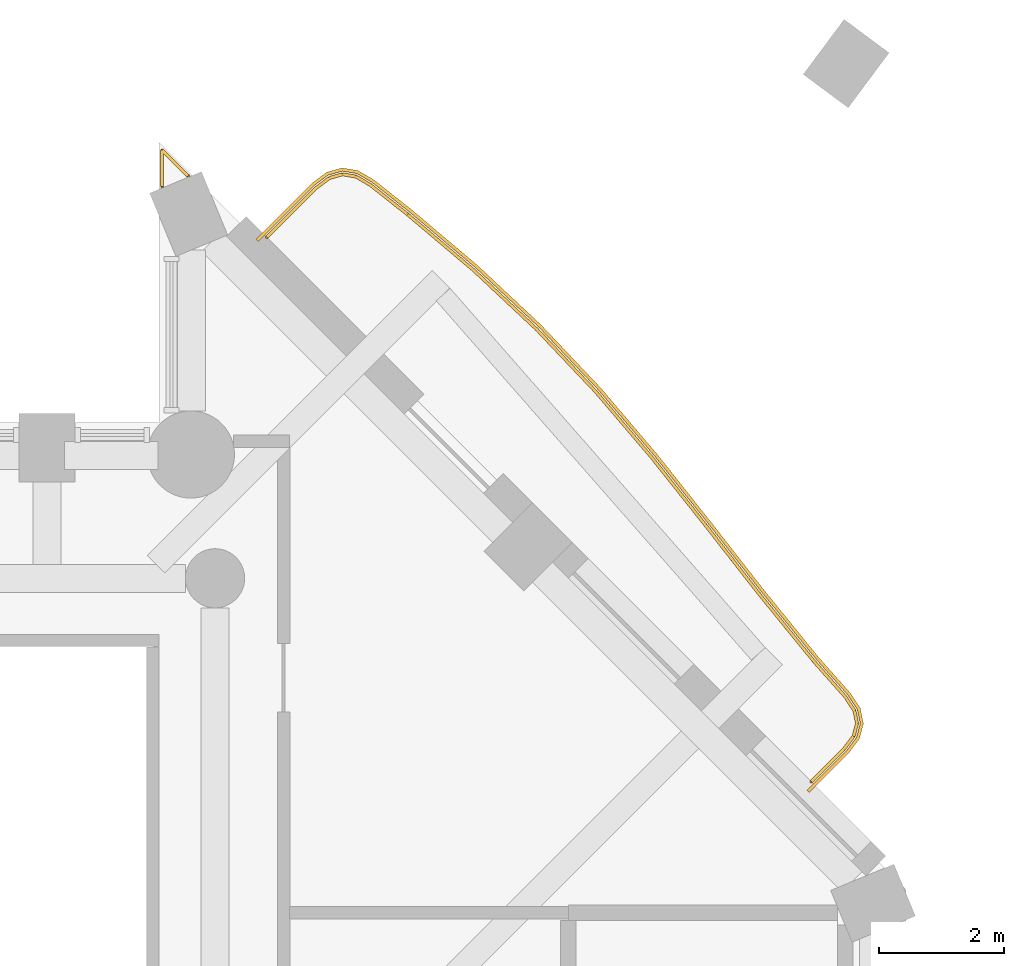
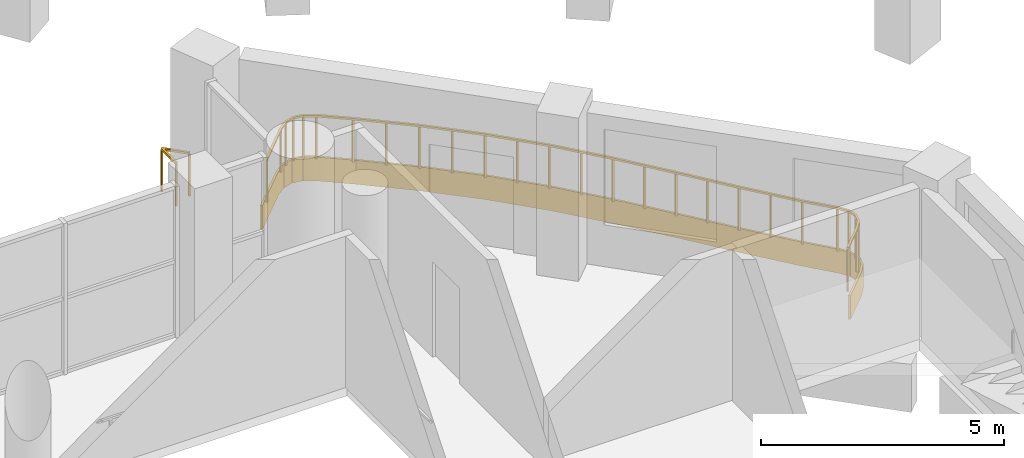
# One storey, part 13 of 14: 2 railings, 1 covering.
"""IFC4 building model written with IfcOpenShell, lengths in metres."""

from ifc_helpers import new_model, si_unit, direction, frame, origin, origin_2d, place, context, subcontext, project, spatial, polyline, rectangle, outline, extrude, material, layer, layer_set, type_object, element, save


model = new_model("IFC4")

# Units and contexts
model_context = context("Model", 3, precision=1e-05, world=origin(), true_north=direction((0.0, 1.0)))
body_context = subcontext(model_context, "Body", "Model", "MODEL_VIEW")
ifc_project = project(units=[si_unit("LENGTHUNIT", "METRE"), si_unit("AREAUNIT", "SQUARE_METRE"), si_unit("VOLUMEUNIT", "CUBIC_METRE"), si_unit("PLANEANGLEUNIT", "RADIAN"), si_unit("MASSUNIT", "GRAM", prefix="KILO")], contexts=[model_context])

# Site, building, storey
site_placement = place(None, origin())
site = spatial("IfcSite", under=ifc_project, at=site_placement, CompositionType="ELEMENT")
building_placement = place(site_placement, origin())
building = spatial("IfcBuilding", under=site, at=building_placement, Name="Cypress Arch Tower", CompositionType="ELEMENT")
storey_placement = place(building_placement, frame((0.0, 0.0, 185.10009765625)))
storey = spatial("IfcBuildingStorey", under=building, at=storey_placement, Name="L40", CompositionType="ELEMENT", Elevation=185.10009765625)

# Covering
ifc_material_1 = material(Name="White powder-coated aluminium fascia", Category="aluminium")
ifc_layer = layer(ifc_material_1, 0.050048828125)
ifc_layer_set = layer_set([ifc_layer], Name="Balcony fascia BF50")
covering_type = type_object("IfcCoveringType", Name="Balcony fascia BF50", PredefinedType="CLADDING", material=ifc_layer_set)
covering_placement = place(storey_placement, frame((0.0, 0.0, -0.60009765625)))
element("IfcCovering", 1, at=covering_placement, inside=storey, type_object=covering_type, Name="Balcony fascia L40-B05", PredefinedType="CLADDING", context=body_context, shape_type="SweptSolid", body=[
    extrude(outline(polyline([(10.553466796875, 16.342041015625), (10.78857421875, 16.519775390625), (11.039306640625, 16.591064453125), (11.296630859375, 16.54931640625), (11.551025390625, 16.400390625), (12.15625, 15.921875), (13.22021484375, 15.0234375), (14.23388671875, 14.073486328125), (15.189208984375, 13.065185546875), (16.091796875, 12.005126953125), (16.95947265625, 10.91162109375), (17.818115234375, 9.81103515625), (18.6953125, 8.731201171875), (19.20361328125, 8.158203125), (19.364501953125, 7.9150390625), (19.41552734375, 7.665283203125), (19.349853515625, 7.418701171875), (19.174560546875, 7.185791015625), (18.545166015625, 6.556396484375), (18.509765625, 6.591796875), (19.13671875, 7.218505859375), (19.303955078125, 7.441162109375), (19.3642578125, 7.666748046875), (19.317626953125, 7.8955078125), (19.163818359375, 8.127685546875), (18.6572265625, 8.69873046875), (17.77880859375, 9.780029296875), (16.920166015625, 10.880859375), (16.052978515625, 11.973388671875), (15.15185546875, 13.03173828125), (14.198486328125, 14.037841796875), (13.18701171875, 14.986083984375), (12.124755859375, 15.883056640625), (11.522705078125, 16.35888671875), (11.279541015625, 16.50146484375), (11.042236328125, 16.5400390625), (10.811279296875, 16.47412109375), (10.586181640625, 16.304443359375), (9.691650390625, 15.40966796875), (9.65625, 15.445068359375), (10.553466796875, 16.342041015625)])), origin(), (0.0, 0.0, 1.0), 0.60009765625),
])

# Railings
ifc_material_2 = material(Name="Powder-coated steel posts and rods, 100 mm clear between rods", Category="steel")
railing_type_1 = type_object("IfcRailingType", Name="Balcony guard GR1100", PredefinedType="GUARDRAIL", material=ifc_material_2)
railing_1_placement = place(storey_placement, frame((9.83251953125, 15.479736328125, 0.0)))
element("IfcRailing", 2, at=railing_1_placement, inside=storey, type_object=railing_type_1, Name="Balcony guard L40-B05", PredefinedType="GUARDRAIL", context=body_context, shape_type="SweptSolid", body=[
    extrude(rectangle(XDim=0.050048828125, YDim=0.050048828125, at=origin_2d()), frame((0.0, 0.0, 1.0751953125), z_axis=(0.706997058668, 0.707216486682, 0.0), x_axis=(-0.707216486682, 0.706997058668, 0.0)), (0.0, 0.0, 1.0), 1.112548828125),
    extrude(rectangle(XDim=0.050048828125, YDim=0.050048828125, at=origin_2d()), frame((0.78662109375, 0.786865234375, 1.0751953125), z_axis=(0.798254982386, 0.602319668528, 0.0), x_axis=(-0.602319668528, 0.798254982386, 0.0)), (0.0, 0.0, 1.0), 0.26904296875),
    extrude(rectangle(XDim=0.050048828125, YDim=0.050048828125, at=origin_2d()), frame((1.00146484375, 0.948974609375, 1.0751953125), z_axis=(0.961941993521, 0.273253730261, 0.0), x_axis=(-0.273253730261, 0.961941993521, 0.0)), (0.0, 0.0, 1.0), 0.2197265625),
    extrude(rectangle(XDim=0.050048828125, YDim=0.050048828125, at=origin_2d()), frame((1.212890625, 1.009033203125, 1.0751953125), z_axis=(0.987105477748, -0.160071158554, 0.0), x_axis=(0.160071158554, 0.987105477748, 0.0)), (0.0, 0.0, 1.0), 0.2197265625),
    extrude(rectangle(XDim=0.050048828125, YDim=0.050048828125, at=origin_2d()), frame((1.4296875, 0.973876953125, 1.0751953125), z_axis=(0.862889013891, -0.505393460292, 0.0), x_axis=(0.505393460292, 0.862889013891, 0.0)), (0.0, 0.0, 1.0), 0.26904296875),
    extrude(rectangle(XDim=0.050048828125, YDim=0.050048828125, at=origin_2d()), frame((1.661865234375, 0.837890625, 1.0751953125), z_axis=(0.784538661723, -0.620079904739, 0.0), x_axis=(0.620079904739, 0.784538661723, 0.0)), (0.0, 0.0, 1.0), 0.762939453125),
    extrude(rectangle(XDim=0.050048828125, YDim=0.050048828125, at=origin_2d()), frame((2.260498046875, 0.36474609375, 1.0751953125), z_axis=(0.76403954685, -0.645169412518, 0.0), x_axis=(0.645169412518, 0.76403954685, 0.0)), (0.0, 0.0, 1.0), 1.388427734375),
    extrude(rectangle(XDim=0.050048828125, YDim=0.050048828125, at=origin_2d()), frame((3.3212890625, -0.531005859375, 1.0751953125), z_axis=(0.729586723307, -0.683888304604, 0.0), x_axis=(0.683888304604, 0.729586723307, 0.0)), (0.0, 0.0, 1.0), 1.3837890625),
    extrude(rectangle(XDim=0.050048828125, YDim=0.050048828125, at=origin_2d()), frame((4.330810546875, -1.477294921875, 1.0751953125), z_axis=(0.687788705191, -0.725910942893, 0.0), x_axis=(0.725910942893, 0.687788705191, 0.0)), (0.0, 0.0, 1.0), 1.38330078125),
    extrude(rectangle(XDim=0.050048828125, YDim=0.050048828125, at=origin_2d()), frame((5.2822265625, -2.4814453125, 1.0751953125), z_axis=(0.64819459293, -0.761474733459, 0.0), x_axis=(0.761474733459, 0.64819459293, 0.0)), (0.0, 0.0, 1.0), 1.387939453125),
    extrude(rectangle(XDim=0.050048828125, YDim=0.050048828125, at=origin_2d()), frame((6.181884765625, -3.538330078125, 1.0751953125), z_axis=(0.621720981565, -0.783238802079, 0.0), x_axis=(0.783238802079, 0.621720981565, 0.0)), (0.0, 0.0, 1.0), 1.3935546875),
    extrude(rectangle(XDim=0.050048828125, YDim=0.050048828125, at=origin_2d()), frame((7.04833984375, -4.6298828125, 1.0751953125), z_axis=(0.615053538134, -0.788485348773, 0.0), x_axis=(0.788485348773, 0.615053538134, 0.0)), (0.0, 0.0, 1.0), 1.396484375),
    extrude(rectangle(XDim=0.050048828125, YDim=0.050048828125, at=origin_2d()), frame((7.9072265625, -5.73095703125, 1.0751953125), z_axis=(0.630612397823, -0.776097934356, 0.0), x_axis=(0.776097934356, 0.630612397823, 0.0)), (0.0, 0.0, 1.0), 1.39453125),
    extrude(rectangle(XDim=0.050048828125, YDim=0.050048828125, at=origin_2d()), frame((8.78662109375, -6.813232421875, 1.0751953125), z_axis=(0.663487170328, -0.748187660157, 0.0), x_axis=(0.748187660157, 0.663487170328, 0.0)), (0.0, 0.0, 1.0), 0.760986328125),
    extrude(rectangle(XDim=0.050048828125, YDim=0.050048828125, at=origin_2d()), frame((9.29150390625, -7.382568359375, 1.0751953125), z_axis=(0.55214921353, -0.83374531243, 0.0), x_axis=(0.83374531243, 0.55214921353, 0.0)), (0.0, 0.0, 1.0), 0.265380859375),
    extrude(rectangle(XDim=0.050048828125, YDim=0.050048828125, at=origin_2d()), frame((9.43798828125, -7.603759765625, 1.0751953125), z_axis=(0.200320892188, -0.979730340529, 0.0), x_axis=(0.979730340529, 0.200320892188, 0.0)), (0.0, 0.0, 1.0), 0.212158203125),
    extrude(rectangle(XDim=0.050048828125, YDim=0.050048828125, at=origin_2d()), frame((9.48046875, -7.8115234375, 1.0751953125), z_axis=(-0.25902379233, -0.965870941175, 0.0), x_axis=(0.965870941175, -0.25902379233, 0.0)), (0.0, 0.0, 1.0), 0.212158203125),
    extrude(rectangle(XDim=0.050048828125, YDim=0.050048828125, at=origin_2d()), frame((9.425537109375, -8.016357421875, 1.0751953125), z_axis=(-0.600589372665, -0.799557631094, 0.0), x_axis=(0.799557631094, -0.600589372665, 0.0)), (0.0, 0.0, 1.0), 0.26513671875),
    extrude(rectangle(XDim=0.050048828125, YDim=0.050048828125, at=origin_2d()), frame((9.266357421875, -8.228271484375, 1.0751953125), z_axis=(-0.707106781187, -0.707106781187, 0.0), x_axis=(0.707106781187, -0.707106781187, 0.0)), (0.0, 0.0, 1.0), 0.734130859375),
    extrude(rectangle(XDim=0.0400390625, YDim=0.0400390625, at=origin_2d()), origin(), (0.0, 0.0, 1.0), 1.050048828125),
    extrude(rectangle(XDim=0.0400390625, YDim=0.0400390625, at=origin_2d()), frame((0.78662109375, 0.786865234375, 0.0)), (0.0, 0.0, 1.0), 1.050048828125),
    extrude(rectangle(XDim=0.0400390625, YDim=0.0400390625, at=origin_2d()), frame((1.00146484375, 0.948974609375, 0.0)), (0.0, 0.0, 1.0), 1.050048828125),
    extrude(rectangle(XDim=0.0400390625, YDim=0.0400390625, at=origin_2d()), frame((1.212890625, 1.009033203125, 0.0)), (0.0, 0.0, 1.0), 1.050048828125),
    extrude(rectangle(XDim=0.0400390625, YDim=0.0400390625, at=origin_2d()), frame((1.4296875, 0.973876953125, 0.0)), (0.0, 0.0, 1.0), 1.050048828125),
    extrude(rectangle(XDim=0.0400390625, YDim=0.0400390625, at=origin_2d()), frame((1.661865234375, 0.837890625, 0.0)), (0.0, 0.0, 1.0), 1.050048828125),
    extrude(rectangle(XDim=0.0400390625, YDim=0.0400390625, at=origin_2d()), frame((2.260498046875, 0.36474609375, 0.0)), (0.0, 0.0, 1.0), 1.050048828125),
    extrude(rectangle(XDim=0.0400390625, YDim=0.0400390625, at=origin_2d()), frame((2.791015625, -0.0830078125, 0.0)), (0.0, 0.0, 1.0), 1.050048828125),
    extrude(rectangle(XDim=0.0400390625, YDim=0.0400390625, at=origin_2d()), frame((3.3212890625, -0.531005859375, 0.0)), (0.0, 0.0, 1.0), 1.050048828125),
    extrude(rectangle(XDim=0.0400390625, YDim=0.0400390625, at=origin_2d()), frame((3.826171875, -1.004150390625, 0.0)), (0.0, 0.0, 1.0), 1.050048828125),
    extrude(rectangle(XDim=0.0400390625, YDim=0.0400390625, at=origin_2d()), frame((4.330810546875, -1.477294921875, 0.0)), (0.0, 0.0, 1.0), 1.050048828125),
    extrude(rectangle(XDim=0.0400390625, YDim=0.0400390625, at=origin_2d()), frame((4.806640625, -1.9794921875, 0.0)), (0.0, 0.0, 1.0), 1.050048828125),
    extrude(rectangle(XDim=0.0400390625, YDim=0.0400390625, at=origin_2d()), frame((5.2822265625, -2.4814453125, 0.0)), (0.0, 0.0, 1.0), 1.050048828125),
    extrude(rectangle(XDim=0.0400390625, YDim=0.0400390625, at=origin_2d()), frame((5.73193359375, -3.009765625, 0.0)), (0.0, 0.0, 1.0), 1.050048828125),
    extrude(rectangle(XDim=0.0400390625, YDim=0.0400390625, at=origin_2d()), frame((6.181884765625, -3.538330078125, 0.0)), (0.0, 0.0, 1.0), 1.050048828125),
    extrude(rectangle(XDim=0.0400390625, YDim=0.0400390625, at=origin_2d()), frame((6.615234375, -4.083984375, 0.0)), (0.0, 0.0, 1.0), 1.050048828125),
    extrude(rectangle(XDim=0.0400390625, YDim=0.0400390625, at=origin_2d()), frame((7.04833984375, -4.6298828125, 0.0)), (0.0, 0.0, 1.0), 1.050048828125),
    extrude(rectangle(XDim=0.0400390625, YDim=0.0400390625, at=origin_2d()), frame((7.477783203125, -5.180419921875, 0.0)), (0.0, 0.0, 1.0), 1.050048828125),
    extrude(rectangle(XDim=0.0400390625, YDim=0.0400390625, at=origin_2d()), frame((7.9072265625, -5.73095703125, 0.0)), (0.0, 0.0, 1.0), 1.050048828125),
    extrude(rectangle(XDim=0.0400390625, YDim=0.0400390625, at=origin_2d()), frame((8.346923828125, -6.27197265625, 0.0)), (0.0, 0.0, 1.0), 1.050048828125),
    extrude(rectangle(XDim=0.0400390625, YDim=0.0400390625, at=origin_2d()), frame((8.78662109375, -6.813232421875, 0.0)), (0.0, 0.0, 1.0), 1.050048828125),
    extrude(rectangle(XDim=0.0400390625, YDim=0.0400390625, at=origin_2d()), frame((9.29150390625, -7.382568359375, 0.0)), (0.0, 0.0, 1.0), 1.050048828125),
    extrude(rectangle(XDim=0.0400390625, YDim=0.0400390625, at=origin_2d()), frame((9.43798828125, -7.603759765625, 0.0)), (0.0, 0.0, 1.0), 1.050048828125),
    extrude(rectangle(XDim=0.0400390625, YDim=0.0400390625, at=origin_2d()), frame((9.48046875, -7.8115234375, 0.0)), (0.0, 0.0, 1.0), 1.050048828125),
    extrude(rectangle(XDim=0.0400390625, YDim=0.0400390625, at=origin_2d()), frame((9.425537109375, -8.016357421875, 0.0)), (0.0, 0.0, 1.0), 1.050048828125),
    extrude(rectangle(XDim=0.0400390625, YDim=0.0400390625, at=origin_2d()), frame((9.266357421875, -8.228271484375, 0.0)), (0.0, 0.0, 1.0), 1.050048828125),
    extrude(rectangle(XDim=0.0400390625, YDim=0.0400390625, at=origin_2d()), frame((8.747314453125, -8.747314453125, 0.0)), (0.0, 0.0, 1.0), 1.050048828125),
])
ifc_material_3 = material(Name="Powder-coated steel posts and rods, 100 mm clear between rods", Category="steel")
railing_type_2 = type_object("IfcRailingType", Name="Corner guard GR1100C", PredefinedType="GUARDRAIL", material=ifc_material_3)
railing_2_placement = place(storey_placement, frame((8.14990234375, 16.290771484375, 0.0)))
element("IfcRailing", 3, at=railing_2_placement, inside=storey, type_object=railing_type_2, Name="Corner guard L40 7", PredefinedType="GUARDRAIL", context=body_context, shape_type="SweptSolid", body=[
    extrude(rectangle(XDim=0.050048828125, YDim=0.050048828125, at=origin_2d()), frame((0.0, 0.0, 1.0751953125), z_axis=(0.0, 1.0, 0.0), x_axis=(-1.0, 0.0, 0.0)), (0.0, 0.0, 1.0), 0.588623046875),
    extrude(rectangle(XDim=0.050048828125, YDim=0.050048828125, at=origin_2d()), frame((0.0, 0.588623046875, 1.0751953125), z_axis=(0.707106781187, -0.707106781187, 0.0), x_axis=(0.707106781187, 0.707106781187, 0.0)), (0.0, 0.0, 1.0), 0.588623046875),
    extrude(rectangle(XDim=0.0400390625, YDim=0.0400390625, at=origin_2d()), origin(), (0.0, 0.0, 1.0), 1.050048828125),
    extrude(rectangle(XDim=0.0400390625, YDim=0.0400390625, at=origin_2d()), frame((0.0, 0.588623046875, 0.0)), (0.0, 0.0, 1.0), 1.050048828125),
    extrude(rectangle(XDim=0.0400390625, YDim=0.0400390625, at=origin_2d()), frame((0.416259765625, 0.17236328125, 0.0)), (0.0, 0.0, 1.0), 1.050048828125),
])

save(model, "model.ifc")
